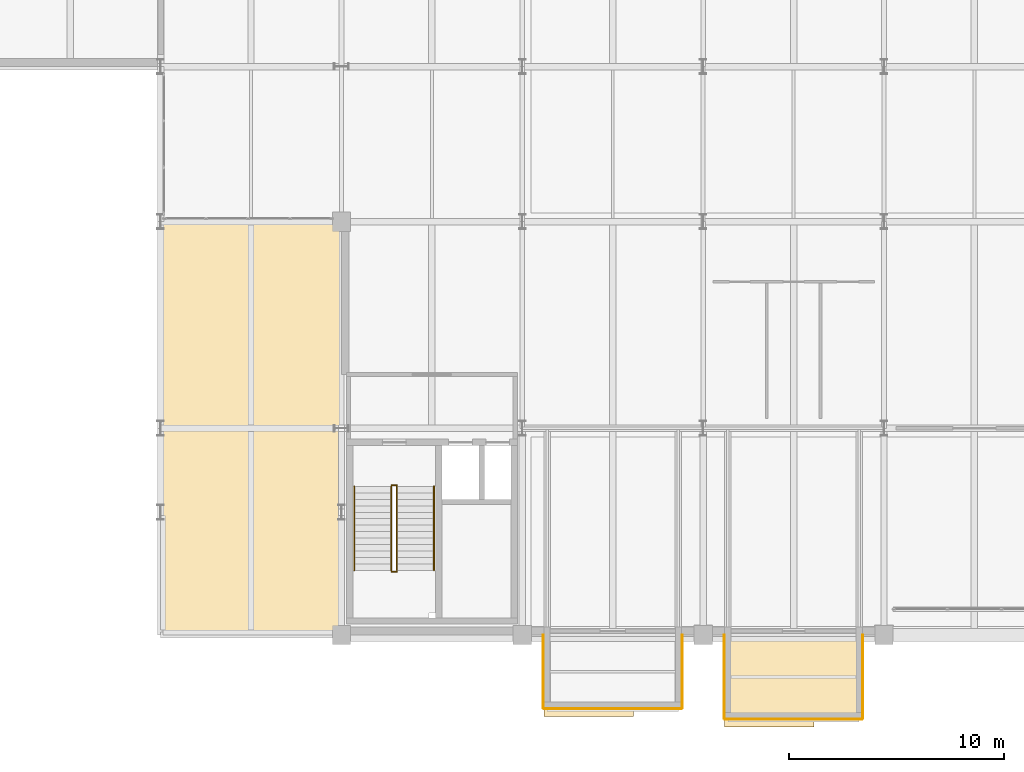
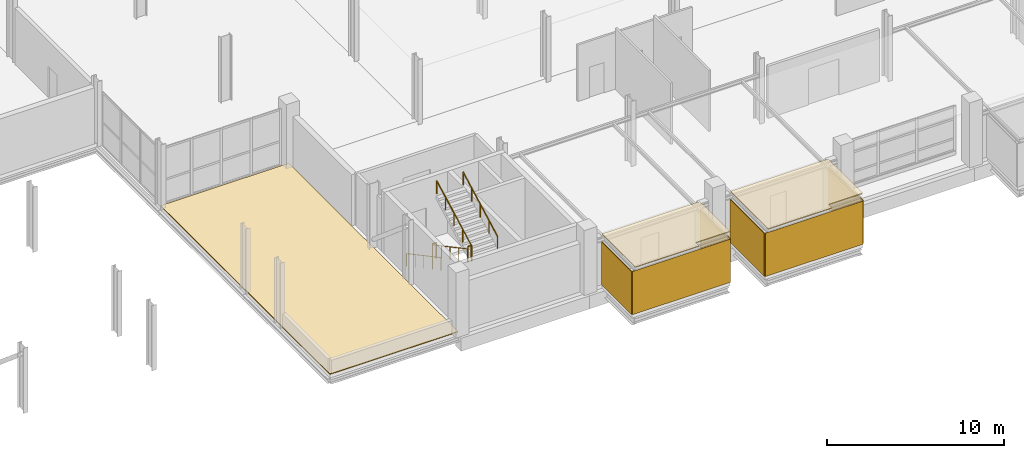
# One storey, part 105 of 113: 9 coverings, 6 railings.
"""IFC4 building model written with IfcOpenShell, lengths in metres."""

from ifc_helpers import new_model, si_unit, direction, frame, frame_2d, origin, origin_2d, place, context, subcontext, project, spatial, polyline, rectangle, circle, outline, extrude, material, layer, layer_set, type_object, element, save


model = new_model("IFC4")

# Units and contexts
model_context = context("Model", 3, precision=1e-05, world=origin(), true_north=direction((0.0, 1.0)))
body_context = subcontext(model_context, "Body", "Model", "MODEL_VIEW")
ifc_project = project(units=[si_unit("LENGTHUNIT", "METRE"), si_unit("AREAUNIT", "SQUARE_METRE"), si_unit("VOLUMEUNIT", "CUBIC_METRE"), si_unit("PLANEANGLEUNIT", "RADIAN"), si_unit("MASSUNIT", "GRAM", prefix="KILO")], contexts=[model_context])

# Site, building, storey
site_placement = place(None, origin())
site = spatial("IfcSite", under=ifc_project, at=site_placement, CompositionType="ELEMENT")
building_placement = place(site_placement, origin())
building = spatial("IfcBuilding", under=site, at=building_placement, Name="Veltarok Museum of Natural Sciences", CompositionType="ELEMENT")
storey_placement = place(building_placement, frame((0.0, 0.0, 8.39990234375)))
storey = spatial("IfcBuildingStorey", under=building, at=storey_placement, Name="L01", CompositionType="ELEMENT", Elevation=8.39990234375)

# Coverings
ifc_material_1 = material(Name="Corrugated zinc cladding")
ifc_layer_1 = layer(ifc_material_1, 0.044921875)
ifc_layer_set_1 = layer_set([ifc_layer_1], Name="Corrugated zinc cladding")
covering_type_1 = type_object("IfcCoveringType", Name="Corrugated Titanium-Zinc Rainscreen Cladding 45", PredefinedType="CLADDING", material=ifc_layer_set_1)
covering_1_placement = place(storey_placement, frame((41.0, -3.422119140625, 0.0), z_axis=(0.0, 0.0, 1.0), x_axis=(1.0, 0.0, 0.0)))
element("IfcCovering", 1, at=covering_1_placement, inside=storey, type_object=covering_type_1, Name="Corrugated Zinc Cladding DB-01-S", PredefinedType="CLADDING", context=body_context, shape_type="SweptSolid", body=[
    extrude(rectangle(XDim=6.39990234375, YDim=0.044921875, at=frame_2d((3.199951171875, 0.0))), origin(), (0.0, 0.0, 1.0), 2.989990234375),
])
for number, where, z_axis, x_axis, name in (
    (2, (40.97802734375, 0.0, 0.0), (0.0, 0.0, 1.0), (0.0, -1.0, 0.0), "Corrugated Zinc Cladding DB-01-W"),
    (3, (47.422119140625, -3.39990234375, 0.0), (0.0, 0.0, 1.0), (0.0, 1.0, 0.0), "Corrugated Zinc Cladding DB-01-E"),
):
    element("IfcCovering", number, at=place(storey_placement, frame(where, z_axis=z_axis, x_axis=x_axis)), inside=storey, type_object=covering_type_1, Name=name, PredefinedType="CLADDING", context=body_context, shape_type="SweptSolid", body=[
        extrude(rectangle(XDim=3.39990234375, YDim=0.044921875, at=frame_2d((1.699951171875, 0.0))), origin(), (0.0, 0.0, 1.0), 2.989990234375),
    ])
covering_2_placement = place(storey_placement, frame((49.39990234375, -3.922119140625, 0.0), z_axis=(0.0, 0.0, 1.0), x_axis=(1.0, 0.0, 0.0)))
element("IfcCovering", 4, at=covering_2_placement, inside=storey, type_object=covering_type_1, Name="Corrugated Zinc Cladding DB-02-S", PredefinedType="CLADDING", context=body_context, shape_type="SweptSolid", body=[
    extrude(rectangle(XDim=6.400146484375, YDim=0.044921875, at=frame_2d((3.2001953125, 0.0))), origin(), (0.0, 0.0, 1.0), 2.989990234375),
])
for number, where, z_axis, x_axis, name in (
    (5, (49.3779296875, 0.0, 0.0), (0.0, 0.0, 1.0), (0.0, -1.0, 0.0), "Corrugated Zinc Cladding DB-02-W"),
    (6, (55.822021484375, -3.89990234375, 0.0), (0.0, 0.0, 1.0), (0.0, 1.0, 0.0), "Corrugated Zinc Cladding DB-02-E"),
):
    element("IfcCovering", number, at=place(storey_placement, frame(where, z_axis=z_axis, x_axis=x_axis)), inside=storey, type_object=covering_type_1, Name=name, PredefinedType="CLADDING", context=body_context, shape_type="SweptSolid", body=[
        extrude(rectangle(XDim=3.89990234375, YDim=0.044921875, at=frame_2d((1.949951171875, 0.0))), origin(), (0.0, 0.0, 1.0), 2.989990234375),
    ])
ifc_material_2 = material(Name="EPDM waterproofing membrane")
ifc_layer_2 = layer(ifc_material_2, 0.06005859375)
ifc_layer_set_2 = layer_set([ifc_layer_2], Name="EPDM waterproofing membrane")
covering_type_2 = type_object("IfcCoveringType", Name="EPDM Waterproofing and Acoustic Roof Membrane 60", PredefinedType="ROOFING", material=ifc_layer_set_2)
covering_3_placement = place(storey_placement, origin())
element("IfcCovering", 7, at=covering_3_placement, inside=storey, type_object=covering_type_2, Name="Roof Waterproofing RF-V6S", PredefinedType="ROOFING", context=body_context, shape_type="SweptSolid", body=[
    extrude(outline(polyline([(23.199951171875, 0.0), (23.199951171875, 19.179931640625), (31.580078125, 19.179931640625), (31.580078125, 0.0), (23.199951171875, 0.0)])), origin(), (0.0, 0.0, 1.0), 0.06005859375),
])
covering_4_placement = place(storey_placement, frame((0.0, 0.0, 3.4501953125)))
element("IfcCovering", 8, at=covering_4_placement, inside=storey, type_object=covering_type_2, Name="Cabinet Box Roof Membrane DB-01", PredefinedType="ROOFING", context=body_context, shape_type="SweptSolid", body=[
    extrude(outline(polyline([(41.0, -3.780029296875), (45.159912109375, -3.780029296875), (45.159912109375, -3.39990234375), (47.39990234375, -3.39990234375), (47.39990234375, 0.0), (41.0, 0.0), (41.0, -3.780029296875)])), origin(), (0.0, 0.0, 1.0), 0.059814453125),
])
covering_5_placement = place(storey_placement, frame((0.0, 0.0, 3.4501953125)))
element("IfcCovering", 9, at=covering_5_placement, inside=storey, type_object=covering_type_2, Name="Cabinet Box Roof Membrane DB-02", PredefinedType="ROOFING", context=body_context, shape_type="SweptSolid", body=[
    extrude(outline(polyline([(49.39990234375, -4.280029296875), (53.56005859375, -4.280029296875), (53.56005859375, -3.89990234375), (55.800048828125, -3.89990234375), (55.800048828125, 0.0), (49.39990234375, 0.0), (49.39990234375, -4.280029296875)])), origin(), (0.0, 0.0, 1.0), 0.059814453125),
])

# Railings
ifc_material_3 = material(Name="Steel S355J2", Category="steel")
railing_type_1 = type_object("IfcRailingType", Name="Interior Atrium and Stairwell Guardrail 1100", PredefinedType="GUARDRAIL", material=ifc_material_3)
for number, where, name in (
    (10, (33.929931640625, 6.949951171875, 0.0), "Stairwell Floor Guard ST-01 L01"),
    (11, (33.929931640625, 2.93994140625, 2.25), "Landing Well Guard ST-01-L01-L1"),
):
    element("IfcRailing", number, at=place(storey_placement, frame(where)), inside=storey, type_object=railing_type_1, Name=name, PredefinedType="GUARDRAIL", context=body_context, shape_type="SweptSolid", body=[
        extrude(circle(Radius=0.02392578125, at=origin_2d()), frame((0.0, 0.0, 1.076171875), z_axis=(1.0, 0.0, 0.0), x_axis=(0.0, 1.0, 0.0)), (0.0, 0.0, 1.0), 0.239990234375),
        extrude(circle(Radius=0.02099609375, at=origin_2d()), origin(), (0.0, 0.0, 1.0), 1.052001953125),
        extrude(circle(Radius=0.02099609375, at=origin_2d()), frame((0.239990234375, 0.0, 0.0)), (0.0, 0.0, 1.0), 1.052001953125),
    ])
railing_type_2 = type_object("IfcRailingType", Name="Stair Flight Tubular Steel Handrail 900", PredefinedType="HANDRAIL", material=ifc_material_3)
for number, where, name in (
    (12, (32.199951171875, 6.89990234375, 0.160888671875), "Stair Handrail ST-01-L01-F1L"),
    (13, (33.919921875, 6.89990234375, 0.160888671875), "Stair Handrail ST-01-L01-F1R"),
):
    element("IfcRailing", number, at=place(storey_placement, frame(where)), inside=storey, type_object=railing_type_2, Name=name, PredefinedType="HANDRAIL", context=body_context, shape_type="SweptSolid", body=[
        extrude(circle(Radius=0.02392578125, at=origin_2d()), frame((0.0, 0.0, 0.8759765625), z_axis=(0.0, -0.881491454809, 0.472199973632), x_axis=(1.0, 0.0, 0.0)), (0.0, 0.0, 1.0), 4.42431640625),
        extrude(circle(Radius=0.02099609375, at=origin_2d()), origin(), (0.0, 0.0, 1.0), 0.851806640625),
        extrude(circle(Radius=0.02099609375, at=origin_2d()), frame((0.0, -0.97509765625, 0.522216796875)), (0.0, 0.0, 1.0), 0.851806640625),
        extrude(circle(Radius=0.02099609375, at=origin_2d()), frame((0.0, -1.949951171875, 1.04443359375)), (0.0, 0.0, 1.0), 0.851806640625),
        extrude(circle(Radius=0.02099609375, at=origin_2d()), frame((0.0, -2.9248046875, 1.56689453125)), (0.0, 0.0, 1.0), 0.851806640625),
        extrude(circle(Radius=0.02099609375, at=origin_2d()), frame((0.0, -3.89990234375, 2.089111328125)), (0.0, 0.0, 1.0), 0.851806640625),
    ])
for number, where, name in (
    (14, (34.179931640625, 3.0, 2.410888671875), "Stair Handrail ST-01-L01-F2L"),
    (15, (35.89990234375, 3.0, 2.410888671875), "Stair Handrail ST-01-L01-F2R"),
):
    element("IfcRailing", number, at=place(storey_placement, frame(where)), inside=storey, type_object=railing_type_2, Name=name, PredefinedType="HANDRAIL", context=body_context, shape_type="SweptSolid", body=[
        extrude(circle(Radius=0.02392578125, at=origin_2d()), frame((0.0, 0.0, 0.8759765625), z_axis=(0.0, 0.881491454809, 0.472199973632), x_axis=(-1.0, 0.0, 0.0)), (0.0, 0.0, 1.0), 4.42431640625),
        extrude(circle(Radius=0.02099609375, at=origin_2d()), origin(), (0.0, 0.0, 1.0), 0.851806640625),
        extrude(circle(Radius=0.02099609375, at=origin_2d()), frame((0.0, 0.97509765625, 0.522216796875)), (0.0, 0.0, 1.0), 0.851806640625),
        extrude(circle(Radius=0.02099609375, at=origin_2d()), frame((0.0, 1.949951171875, 1.04443359375)), (0.0, 0.0, 1.0), 0.851806640625),
        extrude(circle(Radius=0.02099609375, at=origin_2d()), frame((0.0, 2.9248046875, 1.56689453125)), (0.0, 0.0, 1.0), 0.851806640625),
        extrude(circle(Radius=0.02099609375, at=origin_2d()), frame((0.0, 3.89990234375, 2.089111328125)), (0.0, 0.0, 1.0), 0.851806640625),
    ])

save(model, "model.ifc")
